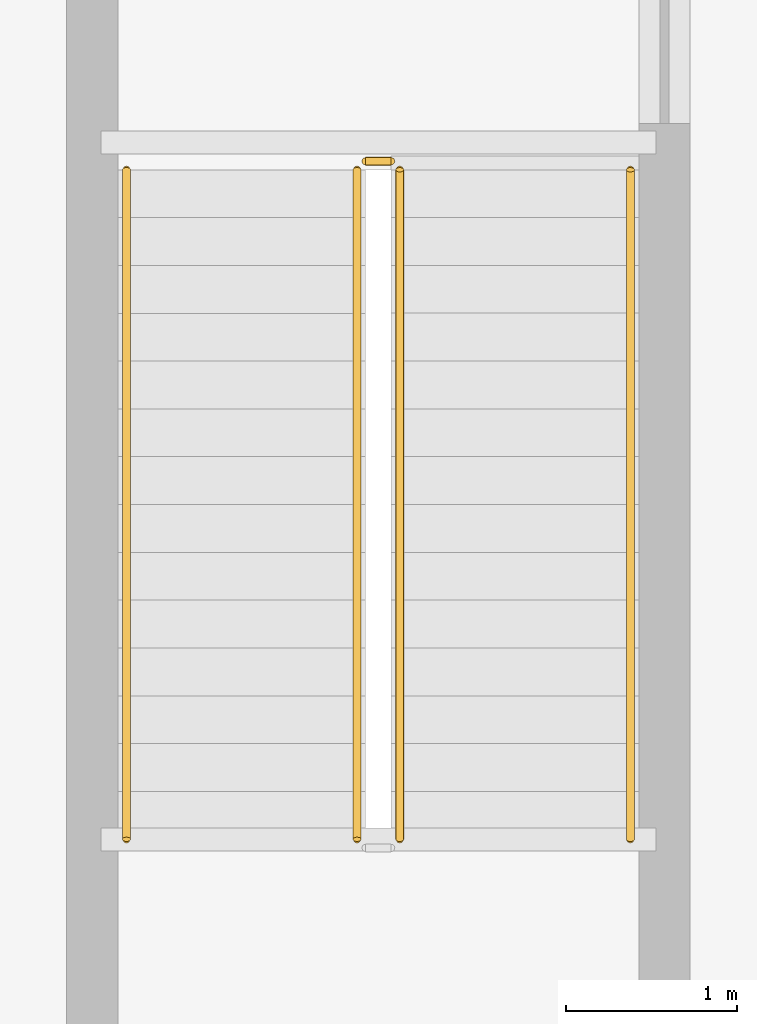
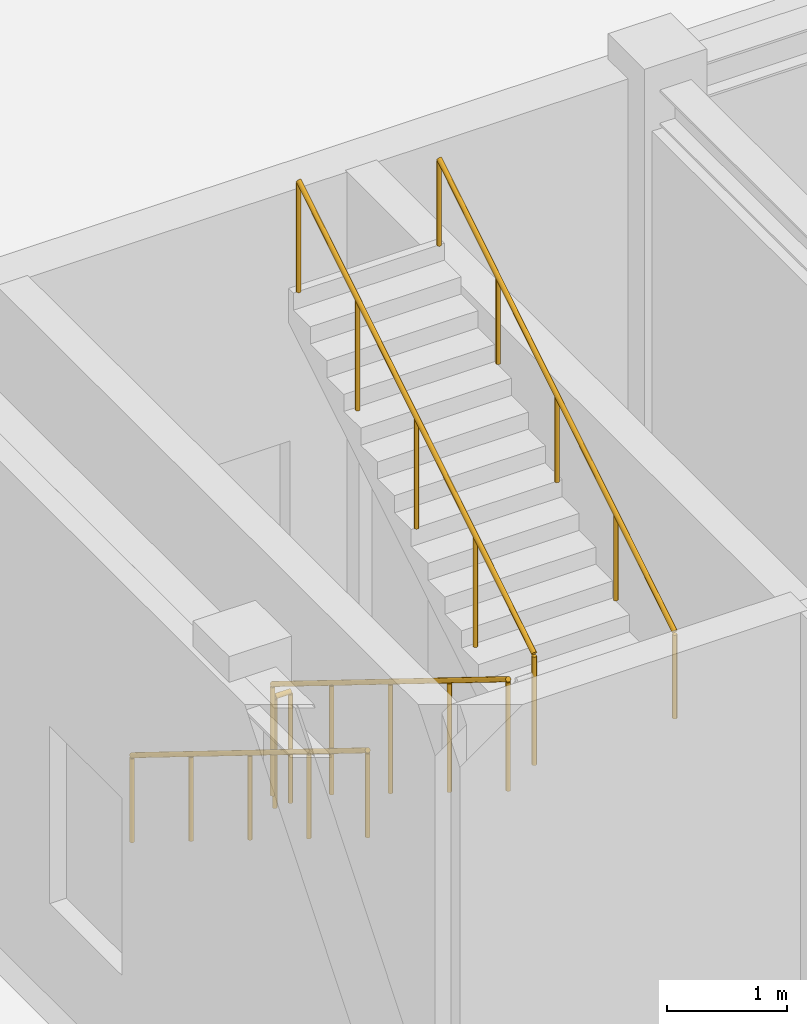
# One storey, part 25 of 26: 5 railings.
"""IFC4 building model written with IfcOpenShell, lengths in metres."""

from ifc_helpers import new_model, si_unit, direction, frame, origin, origin_2d, place, context, subcontext, project, spatial, circle, extrude, material, type_object, element, save


model = new_model("IFC4")

# Units and contexts
model_context = context("Model", 3, precision=1e-05, world=origin(), true_north=direction((0.0, 1.0)))
body_context = subcontext(model_context, "Body", "Model", "MODEL_VIEW")
ifc_project = project(units=[si_unit("LENGTHUNIT", "METRE"), si_unit("AREAUNIT", "SQUARE_METRE"), si_unit("VOLUMEUNIT", "CUBIC_METRE"), si_unit("PLANEANGLEUNIT", "RADIAN"), si_unit("MASSUNIT", "GRAM", prefix="KILO")], contexts=[model_context])

# Site, building, storey
site_placement = place(None, origin())
site = spatial("IfcSite", under=ifc_project, at=site_placement, CompositionType="ELEMENT")
building_placement = place(site_placement, origin())
building = spatial("IfcBuilding", under=site, at=building_placement, Name="Kranzbogen Civic Tower", CompositionType="ELEMENT")
storey_placement = place(building_placement, origin())
storey = spatial("IfcBuildingStorey", under=building, at=storey_placement, Name="L00", CompositionType="ELEMENT", Elevation=0.0)

# Railings
ifc_material_1 = material(Name="Steel S355", Category="steel")
railing_type_1 = type_object("IfcRailingType", Name="Internal Stair and Void Steel Guardrail 1150", PredefinedType="GUARDRAIL", material=ifc_material_1)
railing_1_placement = place(storey_placement, frame((54.949951171875, 41.0, 0.17333984375)))
element("IfcRailing", 1, at=railing_1_placement, inside=storey, type_object=railing_type_1, Name="L00 ST-H2 stair guard 1", PredefinedType="GUARDRAIL", context=body_context, shape_type="SweptSolid", body=[
    extrude(circle(Radius=0.02392578125, at=origin_2d()), frame((0.0, 0.0, 1.1259765625), z_axis=(0.0, -0.850251603719, 0.526376491091), x_axis=(1.0, 0.0, 0.0)), (0.0, 0.0, 1.0), 4.6103515625),
    extrude(circle(Radius=0.02099609375, at=origin_2d()), origin(), (0.0, 0.0, 1.0), 1.101806640625),
    extrude(circle(Radius=0.02099609375, at=origin_2d()), frame((0.0, -0.97998046875, 0.606689453125)), (0.0, 0.0, 1.0), 1.101806640625),
    extrude(circle(Radius=0.02099609375, at=origin_2d()), frame((0.0, -1.9599609375, 1.21337890625)), (0.0, 0.0, 1.0), 1.101806640625),
    extrude(circle(Radius=0.02099609375, at=origin_2d()), frame((0.0, -2.93994140625, 1.820068359375)), (0.0, 0.0, 1.0), 1.101806640625),
    extrude(circle(Radius=0.02099609375, at=origin_2d()), frame((0.0, -3.919921875, 2.4267578125)), (0.0, 0.0, 1.0), 1.101806640625),
])
railing_2_placement = place(storey_placement, frame((55.199951171875, 37.080078125, 2.7734375)))
element("IfcRailing", 2, at=railing_2_placement, inside=storey, type_object=railing_type_1, Name="L00 ST-H2 stair guard 3", PredefinedType="GUARDRAIL", context=body_context, shape_type="SweptSolid", body=[
    extrude(circle(Radius=0.02392578125, at=origin_2d()), frame((0.0, 0.0, 1.1259765625), z_axis=(0.0, 0.850275303828, 0.526338206574), x_axis=(-1.0, 0.0, 0.0)), (0.0, 0.0, 1.0), 4.610107421875),
    extrude(circle(Radius=0.02099609375, at=origin_2d()), origin(), (0.0, 0.0, 1.0), 1.101806640625),
    extrude(circle(Radius=0.02099609375, at=origin_2d()), frame((0.0, 0.97998046875, 0.606689453125)), (0.0, 0.0, 1.0), 1.101806640625),
    extrude(circle(Radius=0.02099609375, at=origin_2d()), frame((0.0, 1.9599609375, 1.21337890625)), (0.0, 0.0, 1.0), 1.101806640625),
    extrude(circle(Radius=0.02099609375, at=origin_2d()), frame((0.0, 2.93994140625, 1.81982421875)), (0.0, 0.0, 1.0), 1.101806640625),
    extrude(circle(Radius=0.02099609375, at=origin_2d()), frame((0.0, 3.919921875, 2.426513671875)), (0.0, 0.0, 1.0), 1.101806640625),
])
railing_3_placement = place(storey_placement, frame((55.0, 41.050048828125, 0.0)))
element("IfcRailing", 3, at=railing_3_placement, inside=storey, type_object=railing_type_1, Name="L00 ST-H2 stair guard 4", PredefinedType="GUARDRAIL", context=body_context, shape_type="SweptSolid", body=[
    extrude(circle(Radius=0.02392578125, at=origin_2d()), frame((0.0, 0.0, 1.1259765625), z_axis=(1.0, 0.0, 0.0), x_axis=(0.0, 1.0, 0.0)), (0.0, 0.0, 1.0), 0.14990234375),
    extrude(circle(Radius=0.02099609375, at=origin_2d()), origin(), (0.0, 0.0, 1.0), 1.101806640625),
    extrude(circle(Radius=0.02099609375, at=origin_2d()), frame((0.14990234375, 0.0, 0.0)), (0.0, 0.0, 1.0), 1.101806640625),
])
ifc_material_2 = material(Name="Pale Anodised Aluminium", Category="aluminium")
railing_type_2 = type_object("IfcRailingType", Name="Tubular Stainless Stair Wall Handrail 900", PredefinedType="HANDRAIL", material=ifc_material_2)
railing_4_placement = place(storey_placement, frame((53.60009765625, 41.0, 0.17333984375)))
element("IfcRailing", 4, at=railing_4_placement, inside=storey, type_object=railing_type_2, Name="L00 ST-H2 stair handrail 1", PredefinedType="HANDRAIL", context=body_context, shape_type="SweptSolid", body=[
    extrude(circle(Radius=0.02392578125, at=origin_2d()), frame((0.0, 0.0, 0.8759765625), z_axis=(0.0, -0.850251603719, 0.526376491091), x_axis=(1.0, 0.0, 0.0)), (0.0, 0.0, 1.0), 4.6103515625),
    extrude(circle(Radius=0.02099609375, at=origin_2d()), origin(), (0.0, 0.0, 1.0), 0.851806640625),
    extrude(circle(Radius=0.02099609375, at=origin_2d()), frame((0.0, -0.97998046875, 0.606689453125)), (0.0, 0.0, 1.0), 0.851806640625),
    extrude(circle(Radius=0.02099609375, at=origin_2d()), frame((0.0, -1.9599609375, 1.21337890625)), (0.0, 0.0, 1.0), 0.851806640625),
    extrude(circle(Radius=0.02099609375, at=origin_2d()), frame((0.0, -2.93994140625, 1.820068359375)), (0.0, 0.0, 1.0), 0.851806640625),
    extrude(circle(Radius=0.02099609375, at=origin_2d()), frame((0.0, -3.919921875, 2.4267578125)), (0.0, 0.0, 1.0), 0.851806640625),
])
railing_5_placement = place(storey_placement, frame((56.550048828125, 37.080078125, 2.7734375)))
element("IfcRailing", 5, at=railing_5_placement, inside=storey, type_object=railing_type_2, Name="L00 ST-H2 stair handrail 2", PredefinedType="HANDRAIL", context=body_context, shape_type="SweptSolid", body=[
    extrude(circle(Radius=0.02392578125, at=origin_2d()), frame((0.0, 0.0, 0.8759765625), z_axis=(0.0, 0.850275303828, 0.526338206574), x_axis=(-1.0, 0.0, 0.0)), (0.0, 0.0, 1.0), 4.610107421875),
    extrude(circle(Radius=0.02099609375, at=origin_2d()), origin(), (0.0, 0.0, 1.0), 0.851806640625),
    extrude(circle(Radius=0.02099609375, at=origin_2d()), frame((0.0, 0.97998046875, 0.606689453125)), (0.0, 0.0, 1.0), 0.851806640625),
    extrude(circle(Radius=0.02099609375, at=origin_2d()), frame((0.0, 1.9599609375, 1.21337890625)), (0.0, 0.0, 1.0), 0.851806640625),
    extrude(circle(Radius=0.02099609375, at=origin_2d()), frame((0.0, 2.93994140625, 1.81982421875)), (0.0, 0.0, 1.0), 0.851806640625),
    extrude(circle(Radius=0.02099609375, at=origin_2d()), frame((0.0, 3.919921875, 2.426513671875)), (0.0, 0.0, 1.0), 0.851806640625),
])

save(model, "model.ifc")
